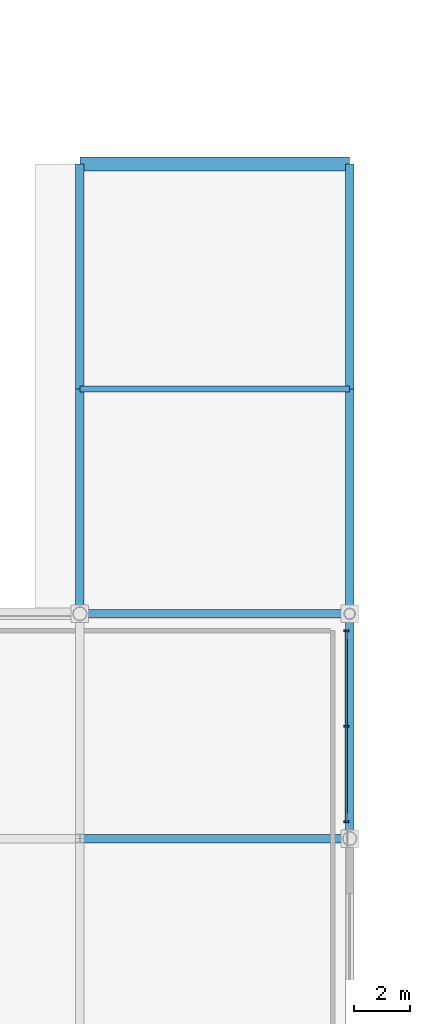
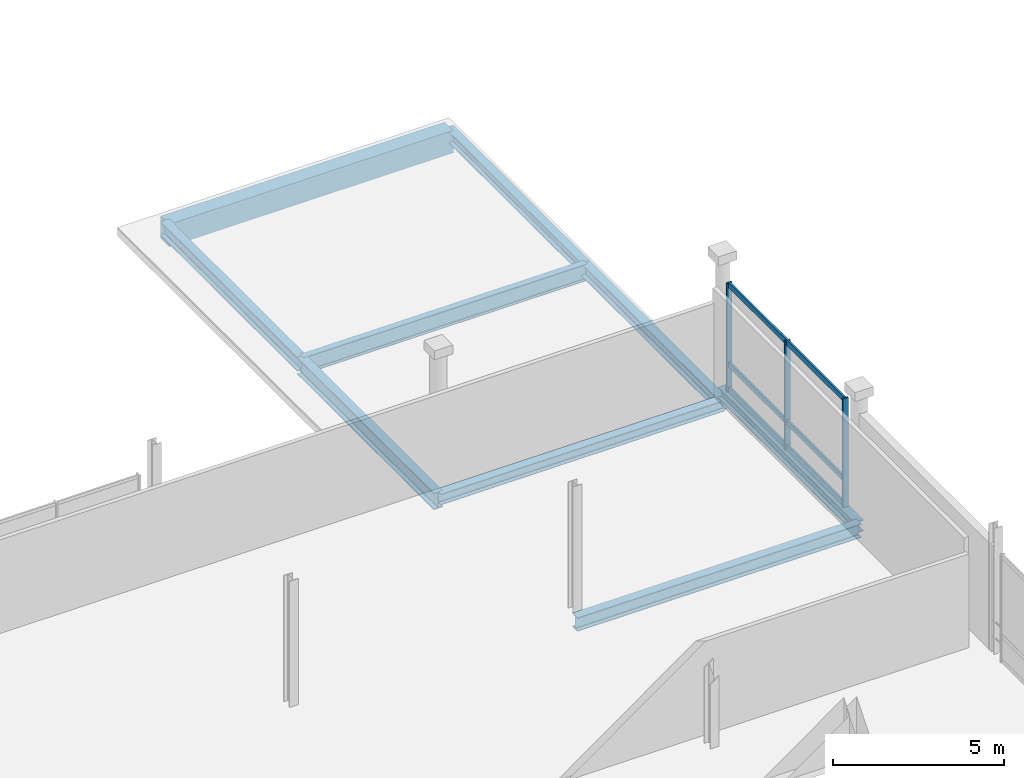
# One storey, part 27 of 59: 9 beams, 6 members, 1 element without a shape of its own.
"""IFC4 building model written with IfcOpenShell, lengths in metres."""

from ifc_helpers import new_model, si_unit, direction, frame, origin, origin_2d, place, context, subcontext, project, spatial, rectangle, i_section, extrude, material, material_profile, profile_set, type_object, element, aggregate, save


model = new_model("IFC4")

# Units and contexts
model_context = context("Model", 3, precision=1e-05, world=origin(), true_north=direction((0.0, 1.0)))
body_context = subcontext(model_context, "Body", "Model", "MODEL_VIEW")
ifc_project = project(units=[si_unit("LENGTHUNIT", "METRE"), si_unit("AREAUNIT", "SQUARE_METRE"), si_unit("VOLUMEUNIT", "CUBIC_METRE"), si_unit("PLANEANGLEUNIT", "RADIAN"), si_unit("MASSUNIT", "GRAM", prefix="KILO")], contexts=[model_context])

# Site, building, storey
site_placement = place(None, origin())
site = spatial("IfcSite", under=ifc_project, at=site_placement, CompositionType="ELEMENT")
building_placement = place(site_placement, origin())
building = spatial("IfcBuilding", under=site, at=building_placement, Name="Danafjord Basin Convention Centre", CompositionType="ELEMENT")
storey_placement = place(building_placement, frame((0.0, 0.0, 15.89990234375)))
storey = spatial("IfcBuildingStorey", under=building, at=storey_placement, Name="L03", CompositionType="ELEMENT", Elevation=15.89990234375)

# Beams
ifc_material_1 = material(Name="Steel S355", Category="steel")
ifc_material_profile_1 = material_profile(ifc_material_1, i_section(OverallWidth=0.300048828125, OverallDepth=0.389892578125, WebThickness=0.010986328125, FlangeThickness=0.01904296875, FilletRadius=0.027099609375, at=origin_2d()), Name="HEA 400")
ifc_profile_set_1 = profile_set([ifc_material_profile_1], Name="Steel S355")
beam_type_1 = type_object("IfcBeamType", Name="BEAM-BM-HEA400", PredefinedType="BEAM", material=ifc_profile_set_1)
beam_1_placement = place(storey_placement, frame((105.60009765625, 40.0, -0.85986328125), z_axis=(1.0, 0.0, 0.0), x_axis=(0.0, 1.0, 0.0)))
element("IfcBeam", 1, at=beam_1_placement, inside=storey, type_object=beam_type_1, Name="L03 girder BM-HEA400", PredefinedType="BEAM", context=body_context, shape_type="SweptSolid", body=[
    extrude(i_section(OverallWidth=0.300048828125, OverallDepth=0.389892578125, WebThickness=0.010986328125, FlangeThickness=0.01904296875, FilletRadius=0.027099609375, at=origin_2d()), origin(), (0.0, 0.0, 1.0), 9.599853515625),
])
ifc_material_profile_2 = material_profile(ifc_material_1, i_section(OverallWidth=0.300048828125, OverallDepth=0.489990234375, WebThickness=0.011962890625, FlangeThickness=0.02294921875, FilletRadius=0.027099609375, at=origin_2d()), Name="HEA 500")
ifc_profile_set_2 = profile_set([ifc_material_profile_2], Name="Steel S355")
beam_type_2 = type_object("IfcBeamType", Name="BEAM-BM-HEA500", PredefinedType="BEAM", material=ifc_profile_set_2)
beam_2_placement = place(storey_placement, frame((105.60009765625, 32.0, -0.474853515625), z_axis=(1.0, 0.0, 0.0), x_axis=(0.0, 1.0, 0.0)))
element("IfcBeam", 2, at=beam_2_placement, inside=storey, type_object=beam_type_2, Name="L03 girder BM-HEA500", PredefinedType="BEAM", context=body_context, shape_type="SweptSolid", body=[
    extrude(i_section(OverallWidth=0.300048828125, OverallDepth=0.489990234375, WebThickness=0.011962890625, FlangeThickness=0.02294921875, FilletRadius=0.027099609375, at=origin_2d()), origin(), (0.0, 0.0, 1.0), 9.599853515625),
])
ifc_material_profile_3 = material_profile(ifc_material_1, i_section(OverallWidth=0.300048828125, OverallDepth=0.5, WebThickness=0.014404296875, FlangeThickness=0.028076171875, FilletRadius=0.027099609375, at=origin_2d()), Name="HEB 500")
ifc_profile_set_3 = profile_set([ifc_material_profile_3], Name="Steel S355")
beam_type_3 = type_object("IfcBeamType", Name="BEAM-BM-HEB500", PredefinedType="BEAM", material=ifc_profile_set_3)
beam_3_placement = place(storey_placement, frame((105.60009765625, 48.0, -0.914794921875), z_axis=(0.0, 1.0, 0.0), x_axis=(-1.0, 0.0, 0.0)))
element("IfcBeam", 3, at=beam_3_placement, inside=storey, type_object=beam_type_3, Name="L03 transverse girder BM-HEB500", PredefinedType="BEAM", context=body_context, shape_type="SweptSolid", body=[
    extrude(i_section(OverallWidth=0.300048828125, OverallDepth=0.5, WebThickness=0.014404296875, FlangeThickness=0.028076171875, FilletRadius=0.027099609375, at=origin_2d()), origin(), (0.0, 0.0, 1.0), 8.0),
])
ifc_material_profile_4 = material_profile(ifc_material_1, i_section(OverallWidth=0.300048828125, OverallDepth=0.60009765625, WebThickness=0.015380859375, FlangeThickness=0.030029296875, FilletRadius=0.027099609375, at=origin_2d()), Name="HEB 600")
ifc_profile_set_4 = profile_set([ifc_material_profile_4], Name="Steel S355")
beam_type_4 = type_object("IfcBeamType", Name="BEAM-BM-HEB600", PredefinedType="BEAM", material=ifc_profile_set_4)
beam_4_placement = place(storey_placement, frame((105.60009765625, 40.0, -0.96484375), z_axis=(0.0, 1.0, 0.0), x_axis=(-1.0, 0.0, 0.0)))
element("IfcBeam", 4, at=beam_4_placement, inside=storey, type_object=beam_type_4, Name="L03 transverse girder BM-HEB600", PredefinedType="BEAM", context=body_context, shape_type="SweptSolid", body=[
    extrude(i_section(OverallWidth=0.300048828125, OverallDepth=0.60009765625, WebThickness=0.015380859375, FlangeThickness=0.030029296875, FilletRadius=0.027099609375, at=origin_2d()), origin(), (0.0, 0.0, 1.0), 8.0),
])
ifc_material_profile_5 = material_profile(ifc_material_1, i_section(OverallWidth=0.219970703125, OverallDepth=0.60009765625, WebThickness=0.011962890625, FlangeThickness=0.01904296875, FilletRadius=0.02392578125, at=origin_2d()), Name="IPE 600")
ifc_profile_set_5 = profile_set([ifc_material_profile_5], Name="Steel S355")
beam_type_5 = type_object("IfcBeamType", Name="BEAM-BM-IPE600", PredefinedType="BEAM", material=ifc_profile_set_5)
beam_5_placement = place(storey_placement, frame((105.60009765625, 48.0, -0.96484375), z_axis=(1.0, 0.0, 0.0), x_axis=(0.0, 1.0, 0.0)))
element("IfcBeam", 5, at=beam_5_placement, inside=storey, type_object=beam_type_5, Name="L03 girder BM-IPE600", PredefinedType="BEAM", context=body_context, shape_type="SweptSolid", body=[
    extrude(i_section(OverallWidth=0.219970703125, OverallDepth=0.60009765625, WebThickness=0.011962890625, FlangeThickness=0.01904296875, FilletRadius=0.02392578125, at=origin_2d()), origin(), (0.0, 0.0, 1.0), 9.599853515625),
])
ifc_material_profile_6 = material_profile(ifc_material_1, i_section(OverallWidth=0.300048828125, OverallDepth=0.39990234375, WebThickness=0.013427734375, FlangeThickness=0.02392578125, FilletRadius=0.027099609375, at=origin_2d()), Name="HEB 400")
ifc_profile_set_6 = profile_set([ifc_material_profile_6], Name="Steel S355")
beam_type_6 = type_object("IfcBeamType", Name="BEAM-SP-HEB400", PredefinedType="SPANDREL", material=ifc_profile_set_6)
for number, where, z_axis, x_axis, name in (
    (6, (115.199951171875, 32.0, -0.429931640625), (0.0, 1.0, 0.0), (-1.0, 0.0, 0.0), "L03 transverse girder SP-HEB400"),
    (7, (115.199951171875, 48.0, -0.864990234375), (0.0, 1.0, 0.0), (-1.0, 0.0, 0.0), "L03 transverse girder SP-HEB400"),
):
    element("IfcBeam", number, at=place(storey_placement, frame(where, z_axis=z_axis, x_axis=x_axis)), inside=storey, type_object=beam_type_6, Name=name, PredefinedType="SPANDREL", context=body_context, shape_type="SweptSolid", body=[
        extrude(i_section(OverallWidth=0.300048828125, OverallDepth=0.39990234375, WebThickness=0.013427734375, FlangeThickness=0.02392578125, FilletRadius=0.027099609375, at=origin_2d()), origin(), (0.0, 0.0, 1.0), 8.0),
    ])
ifc_material_profile_7 = material_profile(ifc_material_1, i_section(OverallWidth=0.300048828125, OverallDepth=0.449951171875, WebThickness=0.013916015625, FlangeThickness=0.02587890625, FilletRadius=0.027099609375, at=origin_2d()), Name="HEB 450")
ifc_profile_set_7 = profile_set([ifc_material_profile_7], Name="Steel S355")
beam_type_7 = type_object("IfcBeamType", Name="BEAM-SP-HEB450", PredefinedType="SPANDREL", material=ifc_profile_set_7)
beam_6_placement = place(storey_placement, frame((115.199951171875, 40.0, -0.889892578125), z_axis=(0.0, 1.0, 0.0), x_axis=(-1.0, 0.0, 0.0)))
element("IfcBeam", 8, at=beam_6_placement, inside=storey, type_object=beam_type_7, Name="L03 transverse girder SP-HEB450", PredefinedType="SPANDREL", context=body_context, shape_type="SweptSolid", body=[
    extrude(i_section(OverallWidth=0.300048828125, OverallDepth=0.449951171875, WebThickness=0.013916015625, FlangeThickness=0.02587890625, FilletRadius=0.027099609375, at=origin_2d()), origin(), (0.0, 0.0, 1.0), 8.0),
])
ifc_material_2 = material(Name="Precast concrete C45/55", Category="concrete")
ifc_material_profile_8 = material_profile(ifc_material_2, rectangle(XDim=0.5, YDim=0.800048828125, at=origin_2d()), Name="PCB 500x800")
ifc_profile_set_8 = profile_set([ifc_material_profile_8], Name="Precast concrete C45/55")
beam_type_8 = type_object("IfcBeamType", Name="BEAM-SP-PCB800", PredefinedType="SPANDREL", material=ifc_profile_set_8)
beam_7_placement = place(storey_placement, frame((105.60009765625, 56.0, -1.06494140625), z_axis=(1.0, 0.0, 0.0), x_axis=(0.0, 1.0, 0.0)))
element("IfcBeam", 9, at=beam_7_placement, inside=storey, type_object=beam_type_8, Name="L03 girder SP-PCB800", PredefinedType="SPANDREL", context=body_context, shape_type="SweptSolid", body=[
    extrude(rectangle(XDim=0.5, YDim=0.800048828125, at=origin_2d()), origin(), (0.0, 0.0, 1.0), 9.599853515625),
])

# Curtain wall, members
ifc_material_3 = material(Name="Anodised aluminium and triple glazing", Category="aluminium")
curtain_wall_type = type_object("IfcCurtainWallType", Name="CW-CW-TERR", PredefinedType="NOTDEFINED", material=ifc_material_3)
curtain_wall_placement = place(storey_placement, origin())
curtain_wall = element("IfcCurtainWall", 10, at=curtain_wall_placement, inside=storey, type_object=curtain_wall_type, Name="L03 CW-TERR unitised curtain wall bay 86", PredefinedType="NOTDEFINED")
ifc_material_4 = material(Name="Anodised aluminium EN AW-6060", Category="aluminium")
ifc_material_profile_9 = material_profile(ifc_material_4, rectangle(XDim=0.06005859375, YDim=0.179931640625, at=origin_2d()), Name="MULL 60x180")
ifc_profile_set_9 = profile_set([ifc_material_profile_9], Name="Anodised aluminium EN AW-6060")
member_type_1 = type_object("IfcMemberType", Name="MEM-ML-180", PredefinedType="MULLION", material=ifc_profile_set_9)
member_1_placement = place(storey_placement, frame((115.080078125, 32.60009765625, -0.02490234375), z_axis=(0.0, 0.0, 1.0), x_axis=(0.0, 1.0, 0.0)))
member_1 = element("IfcMember", 11, at=member_1_placement, type_object=member_type_1, Name="CW-L03-086 mullion 1", PredefinedType="MULLION", context=body_context, shape_type="SweptSolid", body=[
    extrude(rectangle(XDim=0.06005859375, YDim=0.179931640625, at=origin_2d()), origin(), (0.0, 0.0, 1.0), 3.888916015625),
])
member_2_placement = place(storey_placement, frame((115.080078125, 36.0, -0.02490234375), z_axis=(0.0, 0.0, 1.0), x_axis=(0.0, 1.0, 0.0)))
member_2 = element("IfcMember", 12, at=member_2_placement, type_object=member_type_1, Name="CW-L03-086 mullion 2", PredefinedType="MULLION", context=body_context, shape_type="SweptSolid", body=[
    extrude(rectangle(XDim=0.06005859375, YDim=0.179931640625, at=origin_2d()), origin(), (0.0, 0.0, 1.0), 3.888916015625),
])
member_3_placement = place(storey_placement, frame((115.080078125, 39.39990234375, -0.02490234375), z_axis=(0.0, 0.0, 1.0), x_axis=(0.0, 1.0, 0.0)))
member_3 = element("IfcMember", 13, at=member_3_placement, type_object=member_type_1, Name="CW-L03-086 mullion 3", PredefinedType="MULLION", context=body_context, shape_type="SweptSolid", body=[
    extrude(rectangle(XDim=0.06005859375, YDim=0.179931640625, at=origin_2d()), origin(), (0.0, 0.0, 1.0), 3.888916015625),
])
ifc_material_profile_10 = material_profile(ifc_material_4, rectangle(XDim=0.06494140625, YDim=0.18994140625, at=origin_2d()), Name="TRAN 65x190")
ifc_profile_set_10 = profile_set([ifc_material_profile_10], Name="Anodised aluminium EN AW-6060")
member_type_2 = type_object("IfcMemberType", Name="MEM-TR-190", PredefinedType="USERDEFINED", material=ifc_profile_set_10)
member_4_placement = place(storey_placement, frame((115.080078125, 32.60009765625, 0.06005859375), z_axis=(0.0, 1.0, 0.0), x_axis=(-1.0, 0.0, 0.0)))
member_4 = element("IfcMember", 14, at=member_4_placement, type_object=member_type_2, Name="CW-L03-086 transom 1", ObjectType="TRANSOM", PredefinedType="USERDEFINED", context=body_context, shape_type="SweptSolid", body=[
    extrude(rectangle(XDim=0.06494140625, YDim=0.18994140625, at=origin_2d()), origin(), (0.0, 0.0, 1.0), 6.7998046875),
])
member_5_placement = place(storey_placement, frame((115.080078125, 32.60009765625, 0.9501953125), z_axis=(0.0, 1.0, 0.0), x_axis=(-1.0, 0.0, 0.0)))
member_5 = element("IfcMember", 15, at=member_5_placement, type_object=member_type_2, Name="CW-L03-086 transom 2", ObjectType="TRANSOM", PredefinedType="USERDEFINED", context=body_context, shape_type="SweptSolid", body=[
    extrude(rectangle(XDim=0.06494140625, YDim=0.18994140625, at=origin_2d()), origin(), (0.0, 0.0, 1.0), 6.7998046875),
])
member_6_placement = place(storey_placement, frame((115.080078125, 32.60009765625, 3.794189453125), z_axis=(0.0, 1.0, 0.0), x_axis=(-1.0, 0.0, 0.0)))
member_6 = element("IfcMember", 16, at=member_6_placement, type_object=member_type_2, Name="CW-L03-086 transom 3", ObjectType="TRANSOM", PredefinedType="USERDEFINED", context=body_context, shape_type="SweptSolid", body=[
    extrude(rectangle(XDim=0.06494140625, YDim=0.18994140625, at=origin_2d()), origin(), (0.0, 0.0, 1.0), 6.7998046875),
])
aggregate(curtain_wall, [member_1, member_2, member_3, member_4, member_5, member_6])

save(model, "model.ifc")
